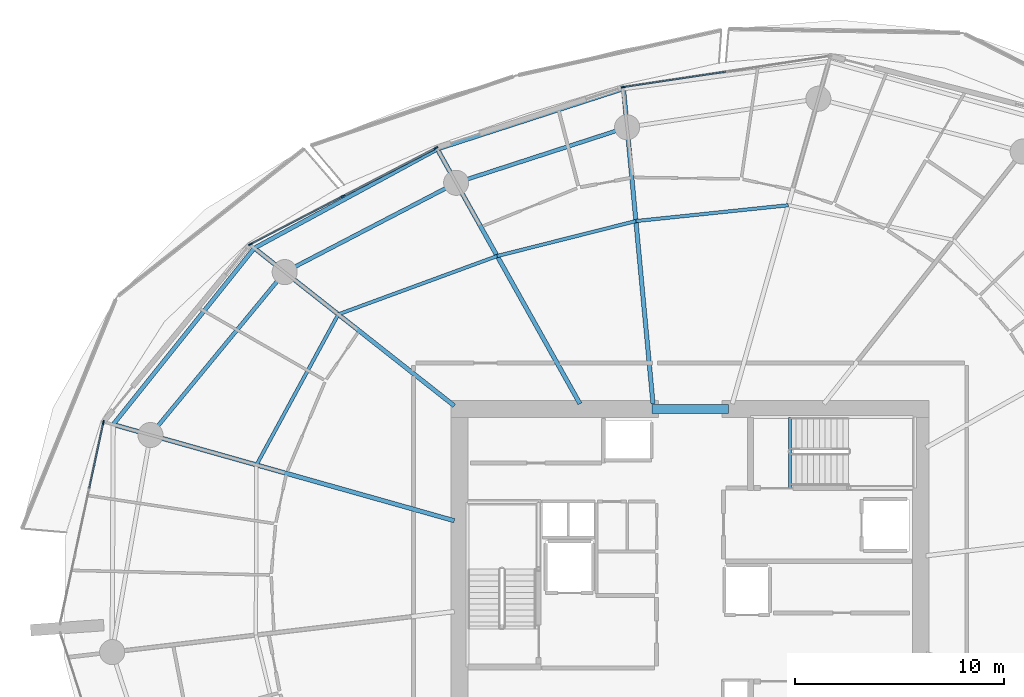
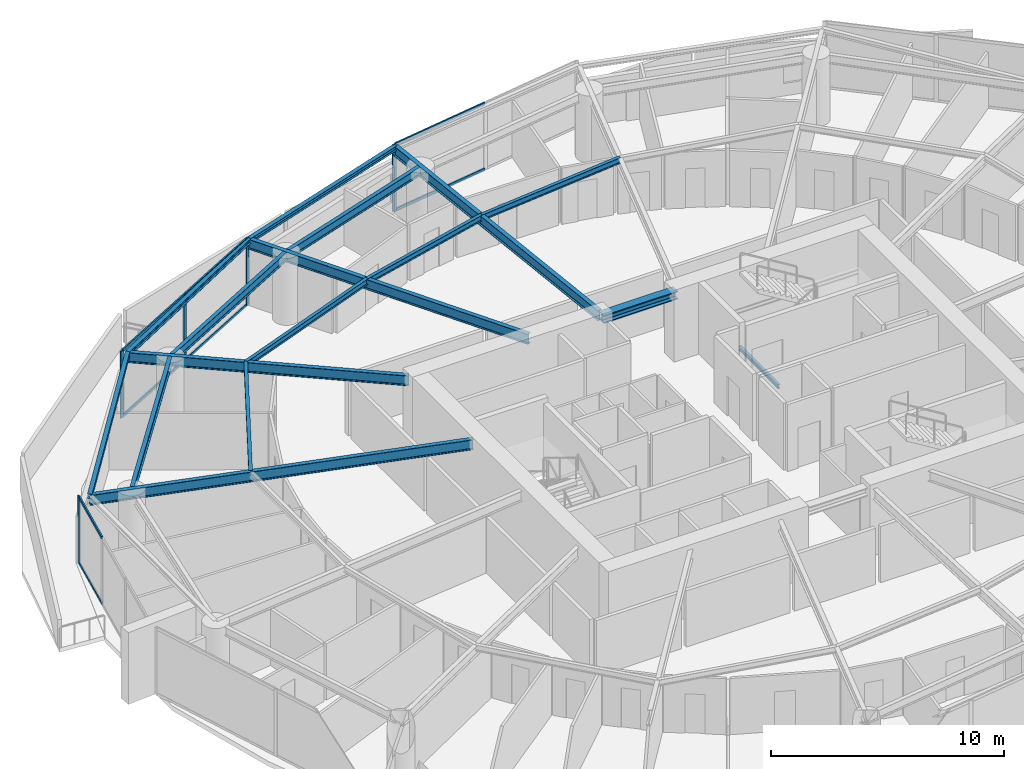
# One storey, part 8 of 23: 16 beams, 13 members, 3 elements without a shape of their own.
"""IFC4 building model written with IfcOpenShell, lengths in metres."""

import ifcopenshell
import ifcopenshell.guid

model = None  # the IFC model being written
_history = None  # IfcOwnerHistory: only IFC2X3 demands one
_inside = {}  # id of a spatial element -> (the spatial element, [elements in it])
_under = {}  # id of a project, library or spatial element -> (it, [spatial elements below it])
_declared = {}  # id of a project -> (the project, [libraries it declares])
_typed = {}  # id of a type object -> (the type object, [elements of that type])
_made_of = {}  # id of a material, layer set ... -> (it, [elements and type objects made of it])


def new_model(schema):
    """Start an empty IFC model of exactly this schema.

    Asked for "IFC4X3", IfcOpenShell would pick the latest addendum, in which some entities
    have other attributes; the version numbers below select the first issue.
    IFC2X3 requires an IfcOwnerHistory on every rooted entity: one is made here for all.
    """
    global model, _history
    if schema == "IFC4X3":
        model = ifcopenshell.file(schema_version=(4, 3, 0, 0))
    else:
        model = ifcopenshell.file(schema=schema)
    _inside.clear()
    _under.clear()
    _declared.clear()
    _typed.clear()
    _made_of.clear()
    _history = None
    if model.schema == "IFC2X3":
        org = make("IfcOrganization", Name="unknown")
        user = make(
            "IfcPersonAndOrganization",
            ThePerson=make("IfcPerson", FamilyName="unknown"),
            TheOrganization=org,
        )
        app = make(
            "IfcApplication",
            ApplicationDeveloper=org,
            Version="unknown",
            ApplicationFullName="unknown",
            ApplicationIdentifier="unknown",
        )
        _history = make(
            "IfcOwnerHistory",
            OwningUser=user,
            OwningApplication=app,
            ChangeAction="ADDED",
            CreationDate=0,
        )
    return model


def make(cls, **values):
    """One entity of the class cls with the attributes given. An attribute that is None is left unset."""
    return model.create_entity(
        cls, **{name: value for name, value in values.items() if value is not None}
    )


def rooted(cls, **values):
    """An entity with a GlobalId (a new one), such as an element, a storey or a relation."""
    return make(cls, GlobalId=ifcopenshell.guid.new(), OwnerHistory=_history, **values)


def si_unit(unit_type, name, prefix=None):
    """IfcSIUnit, for example si_unit("LENGTHUNIT", "METRE", prefix="MILLI")."""
    return make("IfcSIUnit", UnitType=unit_type, Prefix=prefix, Name=name)


def assignment(units):
    """IfcUnitAssignment: the units of a project."""
    return None if units is None else make("IfcUnitAssignment", Units=units)


def point(xyz):
    """IfcCartesianPoint."""
    return None if xyz is None else make("IfcCartesianPoint", Coordinates=xyz)


def direction(xyz):
    """IfcDirection."""
    return None if xyz is None else make("IfcDirection", DirectionRatios=xyz)


def frame(location, z_axis=None, x_axis=None):
    """IfcAxis2Placement3D, a coordinate frame: its origin and axes. An axis left out is left unset."""
    return make(
        "IfcAxis2Placement3D",
        Location=point(location),
        Axis=direction(z_axis),
        RefDirection=direction(x_axis),
    )


def frame_2d(location, x_axis=None):
    """IfcAxis2Placement2D, a coordinate frame in the plane: its origin and x axis."""
    return make(
        "IfcAxis2Placement2D", Location=point(location), RefDirection=direction(x_axis)
    )


def origin():
    """The frame at (0, 0, 0) with its axes left unset."""
    return frame((0.0, 0.0, 0.0))


def origin_2d():
    """The frame at (0, 0) in the plane with its x axis left unset."""
    return frame_2d((0.0, 0.0))


def place(relative_to, where):
    """IfcLocalPlacement: puts the frame where relative to a parent placement (None: the world)."""
    return make(
        "IfcLocalPlacement", PlacementRelTo=relative_to, RelativePlacement=where
    )


def context(
    kind, dimensions, precision=None, world=None, true_north=None, identifier=None
):
    """IfcGeometricRepresentationContext, for example the 3D "Model" context."""
    return make(
        "IfcGeometricRepresentationContext",
        ContextIdentifier=identifier,
        ContextType=kind,
        CoordinateSpaceDimension=dimensions,
        Precision=precision,
        WorldCoordinateSystem=world,
        TrueNorth=true_north,
    )


def subcontext(parent, identifier, kind, view, scale=None):
    """IfcGeometricRepresentationSubContext, for example "Body" below "Model"."""
    return make(
        "IfcGeometricRepresentationSubContext",
        ContextIdentifier=identifier,
        ContextType=kind,
        ParentContext=parent,
        TargetScale=scale,
        TargetView=view,
    )


def project(units=None, contexts=None):
    """IfcProject with its units and contexts."""
    return rooted(
        "IfcProject",
        Name="project",
        RepresentationContexts=contexts,
        UnitsInContext=assignment(units),
    )


def spatial(cls, under=None, at=None, **own):
    """A site, building, storey or space (cls), placed at a placement, below another one or the project."""
    s = rooted(cls, ObjectPlacement=at, **own)
    if under is not None:
        _under.setdefault(under.id(), (under, []))[1].append(s)
    return s


def profile(cls, at=None, kind="AREA", **sizes):
    """A parametric profile (cls). Its sizes go by their IFC names, for example OverallWidth=200.0."""
    return make(cls, ProfileType=kind, Position=at, **sizes)


def rectangle(**sizes):
    """IfcRectangleProfileDef."""
    return profile("IfcRectangleProfileDef", **sizes)


def i_section(**sizes):
    """IfcIShapeProfileDef."""
    return profile("IfcIShapeProfileDef", **sizes)


def extrude(swept, where, along, depth):
    """IfcExtrudedAreaSolid: the profile swept, set in the frame where, extruded along a direction by depth."""
    return make(
        "IfcExtrudedAreaSolid",
        SweptArea=swept,
        Position=where,
        ExtrudedDirection=direction(along),
        Depth=depth,
    )


def shape(context_of_items, identifier, shape_type, items):
    """IfcShapeRepresentation: the items that make up one representation, for example the "Body"."""
    return make(
        "IfcShapeRepresentation",
        ContextOfItems=context_of_items,
        RepresentationIdentifier=identifier,
        RepresentationType=shape_type,
        Items=items,
    )


def material(Name=None, Category=None):
    """IfcMaterial."""
    return make("IfcMaterial", Name=Name, Category=Category)


def layer(
    of_material, thickness, ventilated=None, Name=None, Category=None, Priority=None
):
    """IfcMaterialLayer: one layer of a wall or slab, of a material (None: an air gap)."""
    return make(
        "IfcMaterialLayer",
        Material=of_material,
        LayerThickness=thickness,
        IsVentilated=ventilated,
        Name=Name,
        Category=Category,
        Priority=Priority,
    )


def layer_set(layers, Name=None):
    """IfcMaterialLayerSet."""
    return make("IfcMaterialLayerSet", MaterialLayers=layers, LayerSetName=Name)


def material_profile(
    of_material, cross_section, Name=None, Category=None, Priority=None
):
    """IfcMaterialProfile: a cross section and its material."""
    return make(
        "IfcMaterialProfile",
        Name=Name,
        Material=of_material,
        Profile=cross_section,
        Priority=Priority,
        Category=Category,
    )


def profile_set(profiles, Name=None, composite=None):
    """IfcMaterialProfileSet."""
    return make(
        "IfcMaterialProfileSet",
        Name=Name,
        MaterialProfiles=profiles,
        CompositeProfile=composite,
    )


def made_of(thing, what):
    """Note that an element or type object is made of a material, layer set ...; save() writes the relation."""
    if what is not None:
        _made_of.setdefault(what.id(), (what, []))[1].append(thing)
    return thing


def type_object(cls, material=None, **own):
    """A type object (cls), such as IfcWallType, which elements share."""
    return made_of(rooted(cls, **own), material)


def element(
    cls,
    number,
    at=None,
    inside=None,
    cuts=None,
    type_object=None,
    material=None,
    context=None,
    identifier="Body",
    shape_type=None,
    held_by="IfcProductDefinitionShape",
    body=None,
    shapes=None,
    **own,
):
    """One element of the class cls, such as IfcWall. Its Tag is "e" and its number.

    at: its placement. inside: the storey or other place that contains it. cuts: it is an
    opening in that element (IfcRelVoidsElement). A single representation is given by context,
    identifier, shape_type and body (its items); several are given by shapes. held_by: the class
    of the entity that holds the representations. save() writes the other relations.
    """
    e = rooted(cls, Tag="e%d" % number, ObjectPlacement=at, **own)
    if body is not None:
        shapes = [shape(context, identifier, shape_type, body)]
    if shapes is not None:
        e.Representation = make(held_by, Representations=shapes)
    if inside is not None:
        _inside.setdefault(inside.id(), (inside, []))[1].append(e)
    if cuts is not None:
        rooted(
            "IfcRelVoidsElement", RelatingBuildingElement=cuts, RelatedOpeningElement=e
        )
    if type_object is not None:
        _typed.setdefault(type_object.id(), (type_object, []))[1].append(e)
    return made_of(e, material)


def aggregate(whole, parts):
    """IfcRelAggregates: a whole, such as a stair, and the parts it consists of."""
    return rooted("IfcRelAggregates", RelatingObject=whole, RelatedObjects=parts)


def save(model, path):
    """Write the relations noted so far, then the file.

    IfcRelAggregates (storeys below a building ...), IfcRelContainedInSpatialStructure (elements
    in a storey), IfcRelDefinesByType, IfcRelAssociatesMaterial and IfcRelDeclares: one each for
    every whole, place, type object, material and project.
    """
    for whole, parts in _under.values():
        aggregate(whole, parts)
    for where, things in _inside.values():
        rooted(
            "IfcRelContainedInSpatialStructure",
            RelatedElements=things,
            RelatingStructure=where,
        )
    for kind, things in _typed.values():
        rooted("IfcRelDefinesByType", RelatedObjects=things, RelatingType=kind)
    for what, things in _made_of.values():
        rooted("IfcRelAssociatesMaterial", RelatedObjects=things, RelatingMaterial=what)
    for by, libraries in _declared.values():
        rooted("IfcRelDeclares", RelatingContext=by, RelatedDefinitions=libraries)
    model.write(path)


model = new_model("IFC4")

# Units and contexts
model_context = context("Model", 3, precision=1e-05, world=origin(), true_north=direction((0.0, 1.0)))
body_context = subcontext(model_context, "Body", "Model", "MODEL_VIEW")
ifc_project = project(units=[si_unit("LENGTHUNIT", "METRE"), si_unit("AREAUNIT", "SQUARE_METRE"), si_unit("VOLUMEUNIT", "CUBIC_METRE"), si_unit("PLANEANGLEUNIT", "RADIAN"), si_unit("MASSUNIT", "GRAM", prefix="KILO")], contexts=[model_context])

# Site, building, storey
site_placement = place(None, origin())
site = spatial("IfcSite", under=ifc_project, at=site_placement, CompositionType="ELEMENT")
building_placement = place(site_placement, origin())
building = spatial("IfcBuilding", under=site, at=building_placement, Name="Kazma Halo Residences", CompositionType="ELEMENT")
storey_placement = place(building_placement, frame((0.0, 0.0, 108.89990234375)))
storey = spatial("IfcBuildingStorey", under=building, at=storey_placement, Name="L27", CompositionType="ELEMENT", Elevation=108.89990234375)

# Beams
ifc_material_1 = material(Name="Steel S355", Category="steel")
ifc_material_profile_1 = material_profile(ifc_material_1, i_section(OverallWidth=0.201904296875, OverallDepth=0.2470703125, WebThickness=0.00732421875, FlangeThickness=0.010986328125, FilletRadius=0.011962890625, at=origin_2d()), Name="W250x49.1")
ifc_profile_set_1 = profile_set([ifc_material_profile_1], Name="Steel S355")
beam_type_1 = type_object("IfcBeamType", Name="BM-BAL-CANT", PredefinedType="BEAM", material=ifc_profile_set_1)
beam_1_placement = place(storey_placement, frame((45.239013671875, 65.7109375, 3.376708984375), z_axis=(-0.951364037255, -0.308068934846, 0.0), x_axis=(0.308068934846, -0.951364037255, 0.0)))
element("IfcBeam", 1, at=beam_1_placement, inside=storey, type_object=beam_type_1, Name="L27 wave-balcony tie beam 04", PredefinedType="BEAM", context=body_context, shape_type="SweptSolid", body=[
    extrude(i_section(OverallWidth=0.201904296875, OverallDepth=0.2470703125, WebThickness=0.00732421875, FlangeThickness=0.010986328125, FilletRadius=0.011962890625, at=origin_2d()), origin(), (0.0, 0.0, 1.0), 9.3583984375),
])
beam_2_placement = place(storey_placement, frame((36.335693359375, 62.827880859375, 3.376708984375), z_axis=(-0.87930438671, -0.476260218276, 0.0), x_axis=(0.476260218276, -0.87930438671, 0.0)))
element("IfcBeam", 2, at=beam_2_placement, inside=storey, type_object=beam_type_1, Name="L27 wave-balcony tie beam 05", PredefinedType="BEAM", context=body_context, shape_type="SweptSolid", body=[
    extrude(i_section(OverallWidth=0.201904296875, OverallDepth=0.2470703125, WebThickness=0.00732421875, FlangeThickness=0.010986328125, FilletRadius=0.011962890625, at=origin_2d()), origin(), (0.0, 0.0, 1.0), 9.94677734375),
])
beam_3_placement = place(storey_placement, frame((27.58935546875, 58.090576171875, 3.376708984375), z_axis=(-0.62477775999, -0.78080263231, 0.0), x_axis=(0.78080263231, -0.62477775999, 0.0)))
element("IfcBeam", 3, at=beam_3_placement, inside=storey, type_object=beam_type_1, Name="L27 wave-balcony tie beam 06", PredefinedType="BEAM", context=body_context, shape_type="SweptSolid", body=[
    extrude(i_section(OverallWidth=0.201904296875, OverallDepth=0.2470703125, WebThickness=0.00732421875, FlangeThickness=0.010986328125, FilletRadius=0.011962890625, at=origin_2d()), origin(), (0.0, 0.0, 1.0), 10.79833984375),
])
ifc_material_profile_2 = material_profile(ifc_material_1, i_section(OverallWidth=0.408935546875, OverallDepth=0.425048828125, WebThickness=0.03271484375, FlangeThickness=0.052490234375, FilletRadius=0.02001953125, at=origin_2d()), Name="W360x421")
ifc_profile_set_2 = profile_set([ifc_material_profile_2], Name="Steel S355")
beam_type_2 = type_object("IfcBeamType", Name="BM-CORE-W360H", PredefinedType="BEAM", material=ifc_profile_set_2)
beam_4_placement = place(storey_placement, frame((46.60009765625, 50.39990234375, 3.28759765625), z_axis=(1.0, 0.0, 0.0), x_axis=(0.0, 1.0, 0.0)))
element("IfcBeam", 4, at=beam_4_placement, inside=storey, type_object=beam_type_2, Name="L27 core coupling beam N", PredefinedType="BEAM", context=body_context, shape_type="SweptSolid", body=[
    extrude(i_section(OverallWidth=0.408935546875, OverallDepth=0.425048828125, WebThickness=0.03271484375, FlangeThickness=0.052490234375, FilletRadius=0.02001953125, at=origin_2d()), origin(), (0.0, 0.0, 1.0), 3.64990234375),
])
ifc_material_profile_3 = material_profile(ifc_material_1, i_section(OverallWidth=0.208984375, OverallDepth=0.532958984375, WebThickness=0.01025390625, FlangeThickness=0.015625, FilletRadius=0.01611328125, at=origin_2d()), Name="W530x92")
ifc_profile_set_3 = profile_set([ifc_material_profile_3], Name="Steel S355")
beam_type_3 = type_object("IfcBeamType", Name="BM-RAD-W530", PredefinedType="BEAM", material=ifc_profile_set_3)
beam_5_placement = place(storey_placement, frame((46.64990234375, 50.64990234375, 3.233642578125), z_axis=(-0.093269713752, 0.995640879282, 0.0), x_axis=(-0.995640879282, -0.093269713752, 0.0)))
element("IfcBeam", 5, at=beam_5_placement, inside=storey, type_object=beam_type_3, Name="L27 radial floor beam 04", PredefinedType="BEAM", context=body_context, shape_type="SweptSolid", body=[
    extrude(i_section(OverallWidth=0.208984375, OverallDepth=0.532958984375, WebThickness=0.01025390625, FlangeThickness=0.015625, FilletRadius=0.01611328125, at=origin_2d()), origin(), (0.0, 0.0, 1.0), 15.126953125),
])
beam_6_placement = place(storey_placement, frame((43.15576171875, 50.64990234375, 3.233642578125), z_axis=(-0.488625206529, 0.872493786536, 0.0), x_axis=(-0.872493786536, -0.488625206529, 0.0)))
element("IfcBeam", 6, at=beam_6_placement, inside=storey, type_object=beam_type_3, Name="L27 radial floor beam 05", PredefinedType="BEAM", context=body_context, shape_type="SweptSolid", body=[
    extrude(i_section(OverallWidth=0.208984375, OverallDepth=0.532958984375, WebThickness=0.01025390625, FlangeThickness=0.015625, FilletRadius=0.01611328125, at=origin_2d()), origin(), (0.0, 0.0, 1.0), 13.957763671875),
])
beam_7_placement = place(storey_placement, frame((37.14990234375, 50.553466796875, 3.233642578125), z_axis=(-0.785309664997, 0.619103165929, 0.0), x_axis=(-0.619103165929, -0.785309664997, 0.0)))
element("IfcBeam", 7, at=beam_7_placement, inside=storey, type_object=beam_type_3, Name="L27 radial floor beam 06", PredefinedType="BEAM", context=body_context, shape_type="SweptSolid", body=[
    extrude(i_section(OverallWidth=0.208984375, OverallDepth=0.532958984375, WebThickness=0.01025390625, FlangeThickness=0.015625, FilletRadius=0.01611328125, at=origin_2d()), origin(), (0.0, 0.0, 1.0), 12.17431640625),
])
beam_8_placement = place(storey_placement, frame((37.14990234375, 45.06005859375, 3.233642578125), z_axis=(-0.962454695383, 0.271442368351, 0.0), x_axis=(-0.271442368351, -0.962454695383, 0.0)))
element("IfcBeam", 8, at=beam_8_placement, inside=storey, type_object=beam_type_3, Name="L27 radial floor beam 07", PredefinedType="BEAM", context=body_context, shape_type="SweptSolid", body=[
    extrude(i_section(OverallWidth=0.208984375, OverallDepth=0.532958984375, WebThickness=0.01025390625, FlangeThickness=0.015625, FilletRadius=0.01611328125, at=origin_2d()), origin(), (0.0, 0.0, 1.0), 16.943359375),
])
ifc_material_profile_4 = material_profile(ifc_material_1, i_section(OverallWidth=0.1650390625, OverallDepth=0.31005859375, WebThickness=0.005859375, FlangeThickness=0.009765625, FilletRadius=0.011962890625, at=origin_2d()), Name="W310x38.7")
ifc_profile_set_4 = profile_set([ifc_material_profile_4], Name="Steel S355")
beam_type_4 = type_object("IfcBeamType", Name="BM-SEC-W310B", PredefinedType="JOIST", material=ifc_profile_set_4)
beam_9_placement = place(storey_placement, frame((53.116455078125, 60.1416015625, 3.34521484375), z_axis=(-0.994656912508, -0.103235780624, 0.0), x_axis=(0.103235780624, -0.994656912508, 0.0)))
element("IfcBeam", 9, at=beam_9_placement, inside=storey, type_object=beam_type_4, Name="L27 circumferential floor joist 03", PredefinedType="JOIST", context=body_context, shape_type="SweptSolid", body=[
    extrude(i_section(OverallWidth=0.1650390625, OverallDepth=0.31005859375, WebThickness=0.005859375, FlangeThickness=0.009765625, FilletRadius=0.011962890625, at=origin_2d()), origin(), (0.0, 0.0, 1.0), 7.323974609375),
])
beam_10_placement = place(storey_placement, frame((45.83154296875, 59.385498046875, 3.34521484375), z_axis=(-0.969640662449, -0.244534221993, 0.0), x_axis=(0.244534221993, -0.969640662449, 0.0)))
element("IfcBeam", 10, at=beam_10_placement, inside=storey, type_object=beam_type_4, Name="L27 circumferential floor joist 04", PredefinedType="JOIST", context=body_context, shape_type="SweptSolid", body=[
    extrude(i_section(OverallWidth=0.1650390625, OverallDepth=0.31005859375, WebThickness=0.005859375, FlangeThickness=0.009765625, FilletRadius=0.011962890625, at=origin_2d()), origin(), (0.0, 0.0, 1.0), 6.8388671875),
])
beam_11_placement = place(storey_placement, frame((39.2001953125, 57.713134765625, 3.34521484375), z_axis=(-0.93875304644, -0.344590652513, 0.0), x_axis=(0.344590652513, -0.93875304644, 0.0)))
element("IfcBeam", 11, at=beam_11_placement, inside=storey, type_object=beam_type_4, Name="L27 circumferential floor joist 05", PredefinedType="JOIST", context=body_context, shape_type="SweptSolid", body=[
    extrude(i_section(OverallWidth=0.1650390625, OverallDepth=0.31005859375, WebThickness=0.005859375, FlangeThickness=0.009765625, FilletRadius=0.011962890625, at=origin_2d()), origin(), (0.0, 0.0, 1.0), 8.091064453125),
])
beam_12_placement = place(storey_placement, frame((31.604736328125, 54.925048828125, 3.34521484375), z_axis=(-0.477621844446, -0.878565520441, 0.0), x_axis=(0.878565520441, -0.477621844446, 0.0)))
element("IfcBeam", 12, at=beam_12_placement, inside=storey, type_object=beam_type_4, Name="L27 circumferential floor joist 06", PredefinedType="JOIST", context=body_context, shape_type="SweptSolid", body=[
    extrude(i_section(OverallWidth=0.1650390625, OverallDepth=0.31005859375, WebThickness=0.005859375, FlangeThickness=0.009765625, FilletRadius=0.011962890625, at=origin_2d()), origin(), (0.0, 0.0, 1.0), 8.1923828125),
])
ifc_material_profile_5 = material_profile(ifc_material_1, i_section(OverallWidth=0.18994140625, OverallDepth=0.45703125, WebThickness=0.009033203125, FlangeThickness=0.014404296875, FilletRadius=0.01611328125, at=origin_2d()), Name="W460x74")
ifc_profile_set_5 = profile_set([ifc_material_profile_5], Name="Steel S355")
beam_type_5 = type_object("IfcBeamType", Name="BM-SPN-W460", PredefinedType="BEAM", material=ifc_profile_set_5)
beam_13_placement = place(storey_placement, frame((45.41162109375, 63.869140625, 3.271484375), z_axis=(-0.951054111927, -0.30902439416, 0.0), x_axis=(0.30902439416, -0.951054111927, 0.0)))
element("IfcBeam", 13, at=beam_13_placement, inside=storey, type_object=beam_type_5, Name="L27 perimeter ring beam 04", PredefinedType="BEAM", context=body_context, shape_type="SweptSolid", body=[
    extrude(i_section(OverallWidth=0.18994140625, OverallDepth=0.45703125, WebThickness=0.009033203125, FlangeThickness=0.014404296875, FilletRadius=0.01611328125, at=origin_2d()), origin(), (0.0, 0.0, 1.0), 8.592529296875),
])
beam_14_placement = place(storey_placement, frame((37.23974609375, 61.2138671875, 3.271484375), z_axis=(-0.886963229644, -0.461840047266, 0.0), x_axis=(0.461840047266, -0.886963229644, 0.0)))
element("IfcBeam", 14, at=beam_14_placement, inside=storey, type_object=beam_type_5, Name="L27 perimeter ring beam 05", PredefinedType="BEAM", context=body_context, shape_type="SweptSolid", body=[
    extrude(i_section(OverallWidth=0.18994140625, OverallDepth=0.45703125, WebThickness=0.009033203125, FlangeThickness=0.014404296875, FilletRadius=0.01611328125, at=origin_2d()), origin(), (0.0, 0.0, 1.0), 9.242431640625),
])
beam_15_placement = place(storey_placement, frame((29.0419921875, 56.9453125, 3.271484375), z_axis=(-0.635989564566, -0.771697656963, 0.0), x_axis=(0.771697656963, -0.635989564566, 0.0)))
element("IfcBeam", 15, at=beam_15_placement, inside=storey, type_object=beam_type_5, Name="L27 perimeter ring beam 06", PredefinedType="BEAM", context=body_context, shape_type="SweptSolid", body=[
    extrude(i_section(OverallWidth=0.18994140625, OverallDepth=0.45703125, WebThickness=0.009033203125, FlangeThickness=0.014404296875, FilletRadius=0.01611328125, at=origin_2d()), origin(), (0.0, 0.0, 1.0), 10.092529296875),
])
ifc_material_profile_6 = material_profile(ifc_material_1, i_section(OverallWidth=0.133056640625, OverallDepth=0.20703125, WebThickness=0.005859375, FlangeThickness=0.00830078125, FilletRadius=0.010009765625, at=origin_2d()), Name="W200x26.6")
ifc_profile_set_6 = profile_set([ifc_material_profile_6], Name="Steel S355")
beam_type_6 = type_object("IfcBeamType", Name="BM-TRIM-W200", PredefinedType="BEAM", material=ifc_profile_set_6)
beam_16_placement = place(storey_placement, frame((53.199951171875, 46.6201171875, -0.35986328125), z_axis=(0.0, 1.0, 0.0), x_axis=(-1.0, 0.0, 0.0)))
element("IfcBeam", 16, at=beam_16_placement, inside=storey, type_object=beam_type_6, Name="L27 ST-02 floor landing support beam", PredefinedType="BEAM", context=body_context, shape_type="SweptSolid", body=[
    extrude(i_section(OverallWidth=0.133056640625, OverallDepth=0.20703125, WebThickness=0.005859375, FlangeThickness=0.00830078125, FilletRadius=0.010009765625, at=origin_2d()), origin(), (0.0, 0.0, 1.0), 3.3798828125),
])

# Curtain wall, member
ifc_material_2 = material(Name="Aluminium AW-6063 T6 and Triple-Silver Low-E Glass", Category="aluminium")
ifc_layer = layer(ifc_material_2, 0.199951171875)
ifc_layer_set = layer_set([ifc_layer], Name="Aluminium AW-6063 T6 and Triple-Silver Low-E Glass")
curtain_wall_type = type_object("IfcCurtainWallType", Name="CW-SYS-3", PredefinedType="NOTDEFINED", material=ifc_layer_set)
curtain_wall_1_placement = place(storey_placement, origin())
curtain_wall_1 = element("IfcCurtainWall", 17, at=curtain_wall_1_placement, inside=storey, type_object=curtain_wall_type, Name="L27 unitised curtain wall B03", PredefinedType="NOTDEFINED")
ifc_material_3 = material(Name="Aluminium AW-6063 T6", Category="aluminium")
ifc_material_profile_7 = material_profile(ifc_material_3, rectangle(XDim=0.070068359375, YDim=0.199951171875, at=origin_2d()), Name="CWM-70x200")
ifc_profile_set_7 = profile_set([ifc_material_profile_7], Name="Aluminium AW-6063 T6")
member_type_1 = type_object("IfcMemberType", Name="CW-SYS-3-MUL", PredefinedType="MULLION", material=ifc_profile_set_7)
member_1_placement = place(storey_placement, frame((45.219970703125, 65.78662109375, 0.0), z_axis=(0.0, 0.0, 1.0), x_axis=(0.148717330409, -0.988879747814, 0.0)))
member_1 = element("IfcMember", 18, at=member_1_placement, type_object=member_type_1, Name="CWS-3 mullion 3", PredefinedType="MULLION", context=body_context, shape_type="SweptSolid", body=[
    extrude(rectangle(XDim=0.070068359375, YDim=0.199951171875, at=origin_2d()), origin(), (0.0, 0.0, 1.0), 3.5),
])

# Curtain wall, members
curtain_wall_2_placement = place(storey_placement, origin())
curtain_wall_2 = element("IfcCurtainWall", 19, at=curtain_wall_2_placement, inside=storey, type_object=curtain_wall_type, Name="L27 unitised curtain wall B05", PredefinedType="NOTDEFINED")
member_2_placement = place(storey_placement, frame((36.267822265625, 62.8779296875, 0.0), z_axis=(0.0, 0.0, 1.0), x_axis=(0.460932159481, -0.887435374749, 0.0)))
member_2 = element("IfcMember", 20, at=member_2_placement, type_object=member_type_1, Name="CWS-3 mullion 1", PredefinedType="MULLION", context=body_context, shape_type="SweptSolid", body=[
    extrude(rectangle(XDim=0.070068359375, YDim=0.199951171875, at=origin_2d()), origin(), (0.0, 0.0, 1.0), 3.5),
])
member_3_placement = place(storey_placement, frame((31.8369140625, 60.57666015625, 0.0), z_axis=(0.0, 0.0, 1.0), x_axis=(0.460932159481, -0.887435374749, 0.0)))
member_3 = element("IfcMember", 21, at=member_3_placement, type_object=member_type_1, Name="CWS-3 mullion 2", PredefinedType="MULLION", context=body_context, shape_type="SweptSolid", body=[
    extrude(rectangle(XDim=0.070068359375, YDim=0.199951171875, at=origin_2d()), origin(), (0.0, 0.0, 1.0), 3.5),
])
member_4_placement = place(storey_placement, frame((27.40625, 58.275390625, 0.0), z_axis=(0.0, 0.0, 1.0), x_axis=(0.460932159481, -0.887435374749, 0.0)))
member_4 = element("IfcMember", 22, at=member_4_placement, type_object=member_type_1, Name="CWS-3 mullion 3", PredefinedType="MULLION", context=body_context, shape_type="SweptSolid", body=[
    extrude(rectangle(XDim=0.070068359375, YDim=0.199951171875, at=origin_2d()), origin(), (0.0, 0.0, 1.0), 3.5),
])

# Curtain wall, member
curtain_wall_3_placement = place(storey_placement, origin())
curtain_wall_3 = element("IfcCurtainWall", 23, at=curtain_wall_3_placement, inside=storey, type_object=curtain_wall_type, Name="L27 unitised curtain wall B07", PredefinedType="NOTDEFINED")
member_5_placement = place(storey_placement, frame((20.3740234375, 49.755126953125, 0.0), z_axis=(0.0, 0.0, 1.0), x_axis=(0.977774176093, -0.209660822677, 0.0)))
member_5 = element("IfcMember", 24, at=member_5_placement, type_object=member_type_1, Name="CWS-3 mullion 1", PredefinedType="MULLION", context=body_context, shape_type="SweptSolid", body=[
    extrude(rectangle(XDim=0.070068359375, YDim=0.199951171875, at=origin_2d()), origin(), (0.0, 0.0, 1.0), 3.5),
])

# Member
ifc_material_profile_8 = material_profile(ifc_material_3, rectangle(XDim=0.070068359375, YDim=0.14990234375, at=origin_2d()), Name="CWT-70x150")
ifc_profile_set_8 = profile_set([ifc_material_profile_8], Name="Aluminium AW-6063 T6")
member_type_2 = type_object("IfcMemberType", Name="CW-SYS-3-TRN", PredefinedType="USERDEFINED", material=ifc_profile_set_8)
member_6_placement = place(storey_placement, frame((50.12255859375, 66.52392578125, 0.03515625), z_axis=(-0.988884271372, -0.148687248386, 0.0), x_axis=(0.148687248386, -0.988884271372, 0.0)))
member_6 = element("IfcMember", 25, at=member_6_placement, type_object=member_type_2, Name="CWS-3 transom 2.1", ObjectType="TRANSOM", PredefinedType="USERDEFINED", context=body_context, shape_type="SweptSolid", body=[
    extrude(rectangle(XDim=0.070068359375, YDim=0.14990234375, at=origin_2d()), origin(), (0.0, 0.0, 1.0), 4.922607421875),
])

member_7_placement = place(storey_placement, frame((50.12255859375, 66.52392578125, 3.465087890625), z_axis=(-0.988884271372, -0.148687248386, 0.0), x_axis=(0.148687248386, -0.988884271372, 0.0)))
member_7 = element("IfcMember", 26, at=member_7_placement, type_object=member_type_2, Name="CWS-3 transom 2.2", ObjectType="TRANSOM", PredefinedType="USERDEFINED", context=body_context, shape_type="SweptSolid", body=[
    extrude(rectangle(XDim=0.070068359375, YDim=0.14990234375, at=origin_2d()), origin(), (0.0, 0.0, 1.0), 4.922607421875),
])

aggregate(curtain_wall_1, [member_1, member_6, member_7])

member_8_placement = place(storey_placement, frame((36.236572265625, 62.86181640625, 0.03515625), z_axis=(-0.887427024944, -0.460948235054, 0.0), x_axis=(0.460948235054, -0.887427024944, 0.0)))
member_8 = element("IfcMember", 27, at=member_8_placement, type_object=member_type_2, Name="CWS-3 transom 1.1", ObjectType="TRANSOM", PredefinedType="USERDEFINED", context=body_context, shape_type="SweptSolid", body=[
    extrude(rectangle(XDim=0.070068359375, YDim=0.14990234375, at=origin_2d()), origin(), (0.0, 0.0, 1.0), 4.922607421875),
])

member_9_placement = place(storey_placement, frame((36.236572265625, 62.86181640625, 3.465087890625), z_axis=(-0.887427024944, -0.460948235054, 0.0), x_axis=(0.460948235054, -0.887427024944, 0.0)))
member_9 = element("IfcMember", 28, at=member_9_placement, type_object=member_type_2, Name="CWS-3 transom 1.2", ObjectType="TRANSOM", PredefinedType="USERDEFINED", context=body_context, shape_type="SweptSolid", body=[
    extrude(rectangle(XDim=0.070068359375, YDim=0.14990234375, at=origin_2d()), origin(), (0.0, 0.0, 1.0), 4.922607421875),
])

member_10_placement = place(storey_placement, frame((31.805908203125, 60.560546875, 0.03515625), z_axis=(-0.887437562141, -0.460927948058, 0.0), x_axis=(0.460927948058, -0.887437562141, 0.0)))
member_10 = element("IfcMember", 29, at=member_10_placement, type_object=member_type_2, Name="CWS-3 transom 2.1", ObjectType="TRANSOM", PredefinedType="USERDEFINED", context=body_context, shape_type="SweptSolid", body=[
    extrude(rectangle(XDim=0.070068359375, YDim=0.14990234375, at=origin_2d()), origin(), (0.0, 0.0, 1.0), 4.9228515625),
])

member_11_placement = place(storey_placement, frame((31.805908203125, 60.560546875, 3.465087890625), z_axis=(-0.887437562141, -0.460927948058, 0.0), x_axis=(0.460927948058, -0.887437562141, 0.0)))
member_11 = element("IfcMember", 30, at=member_11_placement, type_object=member_type_2, Name="CWS-3 transom 2.2", ObjectType="TRANSOM", PredefinedType="USERDEFINED", context=body_context, shape_type="SweptSolid", body=[
    extrude(rectangle(XDim=0.070068359375, YDim=0.14990234375, at=origin_2d()), origin(), (0.0, 0.0, 1.0), 4.9228515625),
])

aggregate(curtain_wall_2, [member_2, member_3, member_4, member_8, member_9, member_10, member_11])

member_12_placement = place(storey_placement, frame((20.36669921875, 49.720947265625, 0.03515625), z_axis=(-0.209702197956, -0.977765303216, 0.0), x_axis=(0.977765303216, -0.209702197956, 0.0)))
member_12 = element("IfcMember", 31, at=member_12_placement, type_object=member_type_2, Name="CWS-3 transom 1.1", ObjectType="TRANSOM", PredefinedType="USERDEFINED", context=body_context, shape_type="SweptSolid", body=[
    extrude(rectangle(XDim=0.070068359375, YDim=0.14990234375, at=origin_2d()), origin(), (0.0, 0.0, 1.0), 3.17822265625),
])

member_13_placement = place(storey_placement, frame((20.36669921875, 49.720947265625, 3.465087890625), z_axis=(-0.209702197956, -0.977765303216, 0.0), x_axis=(0.977765303216, -0.209702197956, 0.0)))
member_13 = element("IfcMember", 32, at=member_13_placement, type_object=member_type_2, Name="CWS-3 transom 1.2", ObjectType="TRANSOM", PredefinedType="USERDEFINED", context=body_context, shape_type="SweptSolid", body=[
    extrude(rectangle(XDim=0.070068359375, YDim=0.14990234375, at=origin_2d()), origin(), (0.0, 0.0, 1.0), 3.17822265625),
])

aggregate(curtain_wall_3, [member_5, member_12, member_13])

save(model, "model.ifc")
